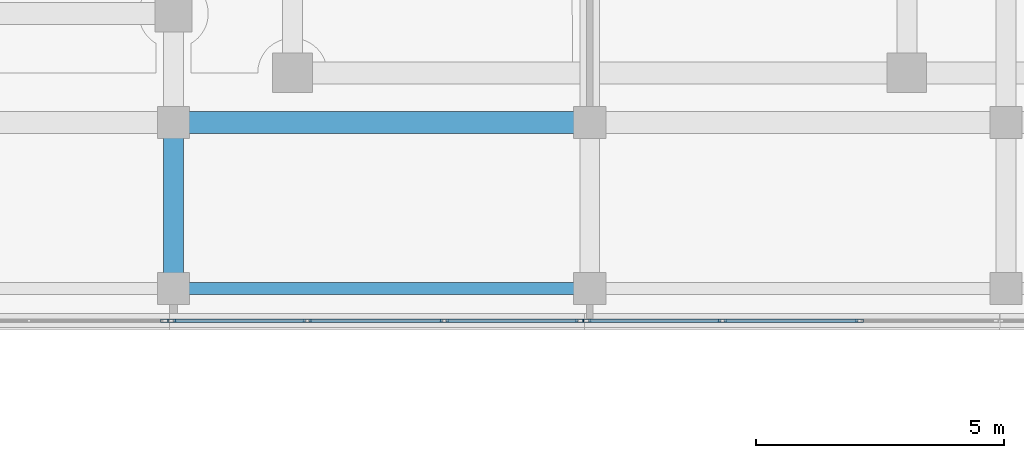
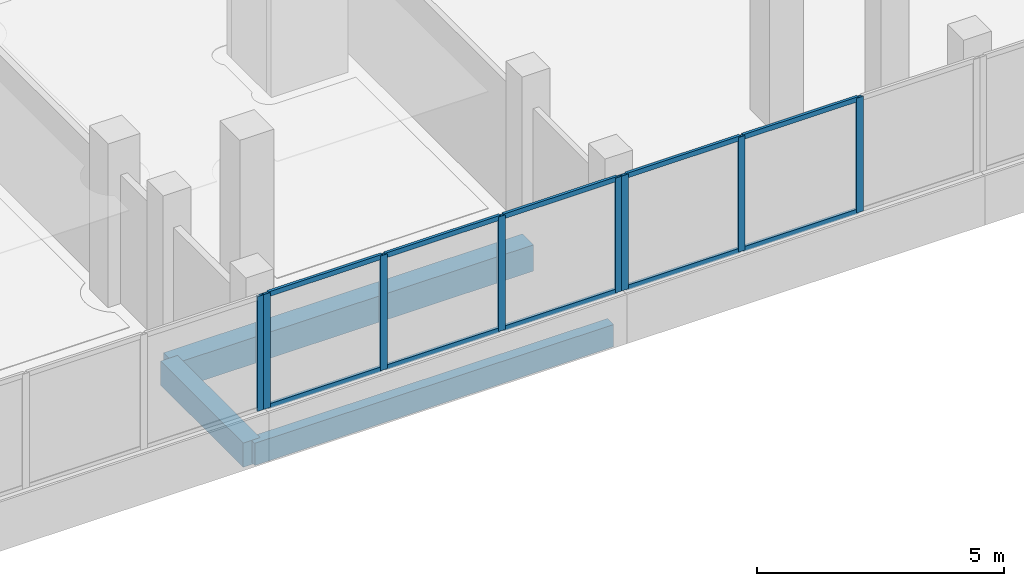
# One storey, part 8 of 76: 18 members, 3 beams, 3 elements without a shape of their own.
"""IFC4 building model written with IfcOpenShell, lengths in metres."""

from ifc_helpers import new_model, si_unit, direction, frame, origin, origin_2d, place, context, subcontext, project, spatial, rectangle, hollow_rectangle, extrude, material, material_profile, profile_set, type_object, element, aggregate, save


model = new_model("IFC4")

# Units and contexts
model_context = context("Model", 3, precision=1e-05, world=origin(), true_north=direction((0.0, 1.0)))
body_context = subcontext(model_context, "Body", "Model", "MODEL_VIEW")
ifc_project = project(units=[si_unit("LENGTHUNIT", "METRE"), si_unit("AREAUNIT", "SQUARE_METRE"), si_unit("VOLUMEUNIT", "CUBIC_METRE"), si_unit("PLANEANGLEUNIT", "RADIAN"), si_unit("MASSUNIT", "GRAM", prefix="KILO")], contexts=[model_context])

# Site, building, storey
site_placement = place(None, origin())
site = spatial("IfcSite", under=ifc_project, at=site_placement, CompositionType="ELEMENT")
building_placement = place(site_placement, origin())
building = spatial("IfcBuilding", under=site, at=building_placement, Name="Selatvlak General Hospital", CompositionType="ELEMENT")
storey_placement = place(building_placement, frame((0.0, 0.0, 27.300048828125)))
storey = spatial("IfcBuildingStorey", under=building, at=storey_placement, Name="L06", CompositionType="ELEMENT", Elevation=27.300048828125)

# Beams
ifc_material_1 = material(Name="Concrete C40/50", Category="concrete")
ifc_material_profile_1 = material_profile(ifc_material_1, rectangle(XDim=0.449951171875, YDim=0.64990234375, at=origin_2d()), Name="RC-BM 450x650")
ifc_profile_set_1 = profile_set([ifc_material_profile_1], Name="Concrete C40/50")
beam_type_1 = type_object("IfcBeamType", Name="BM-G04", PredefinedType="BEAM", material=ifc_profile_set_1)
beam_1_placement = place(storey_placement, frame((56.39990234375, 92.0, -0.60009765625), z_axis=(1.0, 0.0, 0.0), x_axis=(0.0, 1.0, 0.0)))
element("IfcBeam", 1, at=beam_1_placement, inside=storey, type_object=beam_type_1, Name="Beam BMR-L06-2166", PredefinedType="BEAM", context=body_context, shape_type="SweptSolid", body=[
    extrude(rectangle(XDim=0.449951171875, YDim=0.64990234375, at=origin_2d()), origin(), (0.0, 0.0, 1.0), 8.400146484375),
])
ifc_material_profile_2 = material_profile(ifc_material_1, rectangle(XDim=0.39990234375, YDim=0.60009765625, at=origin_2d()), Name="RC-BM 400x600")
ifc_profile_set_2 = profile_set([ifc_material_profile_2], Name="Concrete C40/50")
beam_type_2 = type_object("IfcBeamType", Name="BM-G05", PredefinedType="BEAM", material=ifc_profile_set_2)
beam_2_placement = place(storey_placement, frame((56.39990234375, 88.64990234375, -0.574951171875), z_axis=(0.0, 1.0, 0.0), x_axis=(-1.0, 0.0, 0.0)))
element("IfcBeam", 2, at=beam_2_placement, inside=storey, type_object=beam_type_2, Name="Beam BMR-L06-2259", PredefinedType="BEAM", context=body_context, shape_type="SweptSolid", body=[
    extrude(rectangle(XDim=0.39990234375, YDim=0.60009765625, at=origin_2d()), origin(), (0.0, 0.0, 1.0), 3.35009765625),
])
ifc_material_profile_3 = material_profile(ifc_material_1, rectangle(XDim=0.25, YDim=0.550048828125, at=origin_2d()), Name="RC-SP 250x550")
ifc_profile_set_3 = profile_set([ifc_material_profile_3], Name="Concrete C40/50")
beam_type_3 = type_object("IfcBeamType", Name="BM-SP2", PredefinedType="SPANDREL", material=ifc_profile_set_3)
beam_3_placement = place(storey_placement, frame((56.39990234375, 88.64990234375, -0.550048828125), z_axis=(1.0, 0.0, 0.0), x_axis=(0.0, 1.0, 0.0)))
element("IfcBeam", 3, at=beam_3_placement, inside=storey, type_object=beam_type_3, Name="Beam BMR-L06-2147", PredefinedType="SPANDREL", context=body_context, shape_type="SweptSolid", body=[
    extrude(rectangle(XDim=0.25, YDim=0.550048828125, at=origin_2d()), origin(), (0.0, 0.0, 1.0), 8.400146484375),
])

# Curtain wall, members
ifc_material_2 = material(Name="Solar-control Low-E double glazing", Category="glass")
curtain_wall_type_1 = type_object("IfcCurtainWallType", Name="CW-CW-01", PredefinedType="USERDEFINED", material=ifc_material_2)
curtain_wall_1_placement = place(storey_placement, origin())
curtain_wall_1 = element("IfcCurtainWall", 4, at=curtain_wall_1_placement, inside=storey, type_object=curtain_wall_type_1, Name="Glazed facade curtain wall CW-L06-0633", ObjectType="UNITISED CURTAIN WALL", PredefinedType="USERDEFINED")
ifc_material_3 = material(Name="Dark anodised aluminium mullion", Category="aluminium")
ifc_material_profile_4 = material_profile(ifc_material_3, hollow_rectangle(XDim=0.06494140625, YDim=0.159912109375, WallThickness=0.00390625, at=origin_2d()), Name="AL-MUL 65x160x4")
ifc_profile_set_4 = profile_set([ifc_material_profile_4], Name="Dark anodised aluminium mullion")
member_type_1 = type_object("IfcMemberType", Name="CWM-01", PredefinedType="MULLION", material=ifc_profile_set_4)
member_1_placement = place(storey_placement, frame((70.24267578125, 88.0, 0.93994140625), z_axis=(0.0, 0.0, 1.0), x_axis=(0.0, -1.0, 0.0)))
member_1 = element("IfcMember", 5, at=member_1_placement, type_object=member_type_1, Name="CW-01 mullion 2", PredefinedType="MULLION", context=body_context, shape_type="SweptSolid", body=[
    extrude(hollow_rectangle(XDim=0.06494140625, YDim=0.159912109375, WallThickness=0.00390625, at=origin_2d()), origin(), (0.0, 0.0, 1.0), 2.840087890625),
])
member_2_placement = place(storey_placement, frame((67.476318359375, 88.0, 0.93994140625), z_axis=(0.0, 0.0, 1.0), x_axis=(0.0, -1.0, 0.0)))
member_2 = element("IfcMember", 6, at=member_2_placement, type_object=member_type_1, Name="CW-01 mullion 3", PredefinedType="MULLION", context=body_context, shape_type="SweptSolid", body=[
    extrude(hollow_rectangle(XDim=0.06494140625, YDim=0.159912109375, WallThickness=0.00390625, at=origin_2d()), origin(), (0.0, 0.0, 1.0), 2.840087890625),
])
member_3_placement = place(storey_placement, frame((64.742431640625, 88.0, 0.93994140625), z_axis=(0.0, 0.0, 1.0), x_axis=(0.0, -1.0, 0.0)))
member_3 = element("IfcMember", 7, at=member_3_placement, type_object=member_type_1, Name="CW-01 mullion 4", PredefinedType="MULLION", context=body_context, shape_type="SweptSolid", body=[
    extrude(hollow_rectangle(XDim=0.06494140625, YDim=0.159912109375, WallThickness=0.00390625, at=origin_2d()), origin(), (0.0, 0.0, 1.0), 2.840087890625),
])

curtain_wall_type_2 = type_object("IfcCurtainWallType", Name="CW-CW-02", PredefinedType="USERDEFINED", material=ifc_material_2)
curtain_wall_2_placement = place(storey_placement, origin())
curtain_wall_2 = element("IfcCurtainWall", 8, at=curtain_wall_2_placement, inside=storey, type_object=curtain_wall_type_2, Name="Glazed facade curtain wall CW-L06-0634", ObjectType="UNITISED CURTAIN WALL", PredefinedType="USERDEFINED")
member_4_placement = place(storey_placement, frame((64.597412109375, 88.0, 0.93994140625), z_axis=(0.0, 0.0, 1.0), x_axis=(0.0, -1.0, 0.0)))
member_4 = element("IfcMember", 9, at=member_4_placement, type_object=member_type_1, Name="CW-02 mullion 1", PredefinedType="MULLION", context=body_context, shape_type="SweptSolid", body=[
    extrude(hollow_rectangle(XDim=0.06494140625, YDim=0.159912109375, WallThickness=0.00390625, at=origin_2d()), origin(), (0.0, 0.0, 1.0), 2.840087890625),
])
member_5_placement = place(storey_placement, frame((61.86376953125, 88.0, 0.93994140625), z_axis=(0.0, 0.0, 1.0), x_axis=(0.0, -1.0, 0.0)))
member_5 = element("IfcMember", 10, at=member_5_placement, type_object=member_type_1, Name="CW-02 mullion 2", PredefinedType="MULLION", context=body_context, shape_type="SweptSolid", body=[
    extrude(hollow_rectangle(XDim=0.06494140625, YDim=0.159912109375, WallThickness=0.00390625, at=origin_2d()), origin(), (0.0, 0.0, 1.0), 2.840087890625),
])
member_6_placement = place(storey_placement, frame((59.097412109375, 88.0, 0.93994140625), z_axis=(0.0, 0.0, 1.0), x_axis=(0.0, -1.0, 0.0)))
member_6 = element("IfcMember", 11, at=member_6_placement, type_object=member_type_1, Name="CW-02 mullion 3", PredefinedType="MULLION", context=body_context, shape_type="SweptSolid", body=[
    extrude(hollow_rectangle(XDim=0.06494140625, YDim=0.159912109375, WallThickness=0.00390625, at=origin_2d()), origin(), (0.0, 0.0, 1.0), 2.840087890625),
])
member_7_placement = place(storey_placement, frame((56.363525390625, 88.0, 0.93994140625), z_axis=(0.0, 0.0, 1.0), x_axis=(0.0, -1.0, 0.0)))
member_7 = element("IfcMember", 12, at=member_7_placement, type_object=member_type_1, Name="CW-02 mullion 4", PredefinedType="MULLION", context=body_context, shape_type="SweptSolid", body=[
    extrude(hollow_rectangle(XDim=0.06494140625, YDim=0.159912109375, WallThickness=0.00390625, at=origin_2d()), origin(), (0.0, 0.0, 1.0), 2.840087890625),
])

# Curtain wall, member
curtain_wall_3_placement = place(storey_placement, origin())
curtain_wall_3 = element("IfcCurtainWall", 13, at=curtain_wall_3_placement, inside=storey, type_object=curtain_wall_type_1, Name="Glazed facade curtain wall CW-L06-0635", ObjectType="UNITISED CURTAIN WALL", PredefinedType="USERDEFINED")
member_8_placement = place(storey_placement, frame((56.218505859375, 88.0, 0.93994140625), z_axis=(0.0, 0.0, 1.0), x_axis=(0.0, -1.0, 0.0)))
member_8 = element("IfcMember", 14, at=member_8_placement, type_object=member_type_1, Name="CW-01 mullion 1", PredefinedType="MULLION", context=body_context, shape_type="SweptSolid", body=[
    extrude(hollow_rectangle(XDim=0.06494140625, YDim=0.159912109375, WallThickness=0.00390625, at=origin_2d()), origin(), (0.0, 0.0, 1.0), 2.840087890625),
])
aggregate(curtain_wall_3, [member_8])

# Member
ifc_material_profile_5 = material_profile(ifc_material_3, hollow_rectangle(XDim=0.06494140625, YDim=0.1201171875, WallThickness=0.00390625, at=origin_2d()), Name="AL-TRN 65x120x4")
ifc_profile_set_5 = profile_set([ifc_material_profile_5], Name="Dark anodised aluminium mullion")
member_type_2 = type_object("IfcMemberType", Name="CWT-01", PredefinedType="USERDEFINED", material=ifc_profile_set_5)
member_9_placement = place(storey_placement, frame((70.210205078125, 88.0, 0.972412109375), z_axis=(-1.0, 0.0, 0.0), x_axis=(0.0, -1.0, 0.0)))
member_9 = element("IfcMember", 15, at=member_9_placement, type_object=member_type_2, Name="CW-01 transom 2.1", ObjectType="TRANSOM", PredefinedType="USERDEFINED", context=body_context, shape_type="SweptSolid", body=[
    extrude(hollow_rectangle(XDim=0.06494140625, YDim=0.1201171875, WallThickness=0.00390625, at=origin_2d()), origin(), (0.0, 0.0, 1.0), 2.701416015625),
])

member_10_placement = place(storey_placement, frame((70.210205078125, 88.0, 3.74755859375), z_axis=(-1.0, 0.0, 0.0), x_axis=(0.0, -1.0, 0.0)))
member_10 = element("IfcMember", 16, at=member_10_placement, type_object=member_type_2, Name="CW-01 transom 2.2", ObjectType="TRANSOM", PredefinedType="USERDEFINED", context=body_context, shape_type="SweptSolid", body=[
    extrude(hollow_rectangle(XDim=0.06494140625, YDim=0.1201171875, WallThickness=0.00390625, at=origin_2d()), origin(), (0.0, 0.0, 1.0), 2.701416015625),
])

member_11_placement = place(storey_placement, frame((67.44384765625, 88.0, 0.972412109375), z_axis=(-1.0, 0.0, 0.0), x_axis=(0.0, -1.0, 0.0)))
member_11 = element("IfcMember", 17, at=member_11_placement, type_object=member_type_2, Name="CW-01 transom 3.1", ObjectType="TRANSOM", PredefinedType="USERDEFINED", context=body_context, shape_type="SweptSolid", body=[
    extrude(hollow_rectangle(XDim=0.06494140625, YDim=0.1201171875, WallThickness=0.00390625, at=origin_2d()), origin(), (0.0, 0.0, 1.0), 2.6689453125),
])

member_12_placement = place(storey_placement, frame((67.44384765625, 88.0, 3.74755859375), z_axis=(-1.0, 0.0, 0.0), x_axis=(0.0, -1.0, 0.0)))
member_12 = element("IfcMember", 18, at=member_12_placement, type_object=member_type_2, Name="CW-01 transom 3.2", ObjectType="TRANSOM", PredefinedType="USERDEFINED", context=body_context, shape_type="SweptSolid", body=[
    extrude(hollow_rectangle(XDim=0.06494140625, YDim=0.1201171875, WallThickness=0.00390625, at=origin_2d()), origin(), (0.0, 0.0, 1.0), 2.6689453125),
])

aggregate(curtain_wall_1, [member_1, member_2, member_3, member_9, member_10, member_11, member_12])

member_13_placement = place(storey_placement, frame((64.56494140625, 88.0, 0.972412109375), z_axis=(-1.0, 0.0, 0.0), x_axis=(0.0, -1.0, 0.0)))
member_13 = element("IfcMember", 19, at=member_13_placement, type_object=member_type_2, Name="CW-02 transom 1.1", ObjectType="TRANSOM", PredefinedType="USERDEFINED", context=body_context, shape_type="SweptSolid", body=[
    extrude(hollow_rectangle(XDim=0.06494140625, YDim=0.1201171875, WallThickness=0.00390625, at=origin_2d()), origin(), (0.0, 0.0, 1.0), 2.668701171875),
])

member_14_placement = place(storey_placement, frame((64.56494140625, 88.0, 3.74755859375), z_axis=(-1.0, 0.0, 0.0), x_axis=(0.0, -1.0, 0.0)))
member_14 = element("IfcMember", 20, at=member_14_placement, type_object=member_type_2, Name="CW-02 transom 1.2", ObjectType="TRANSOM", PredefinedType="USERDEFINED", context=body_context, shape_type="SweptSolid", body=[
    extrude(hollow_rectangle(XDim=0.06494140625, YDim=0.1201171875, WallThickness=0.00390625, at=origin_2d()), origin(), (0.0, 0.0, 1.0), 2.668701171875),
])

member_15_placement = place(storey_placement, frame((61.8310546875, 88.0, 0.972412109375), z_axis=(-1.0, 0.0, 0.0), x_axis=(0.0, -1.0, 0.0)))
member_15 = element("IfcMember", 21, at=member_15_placement, type_object=member_type_2, Name="CW-02 transom 2.1", ObjectType="TRANSOM", PredefinedType="USERDEFINED", context=body_context, shape_type="SweptSolid", body=[
    extrude(hollow_rectangle(XDim=0.06494140625, YDim=0.1201171875, WallThickness=0.00390625, at=origin_2d()), origin(), (0.0, 0.0, 1.0), 2.701171875),
])

member_16_placement = place(storey_placement, frame((61.8310546875, 88.0, 3.74755859375), z_axis=(-1.0, 0.0, 0.0), x_axis=(0.0, -1.0, 0.0)))
member_16 = element("IfcMember", 22, at=member_16_placement, type_object=member_type_2, Name="CW-02 transom 2.2", ObjectType="TRANSOM", PredefinedType="USERDEFINED", context=body_context, shape_type="SweptSolid", body=[
    extrude(hollow_rectangle(XDim=0.06494140625, YDim=0.1201171875, WallThickness=0.00390625, at=origin_2d()), origin(), (0.0, 0.0, 1.0), 2.701171875),
])

member_17_placement = place(storey_placement, frame((59.06494140625, 88.0, 0.972412109375), z_axis=(-1.0, 0.0, 0.0), x_axis=(0.0, -1.0, 0.0)))
member_17 = element("IfcMember", 23, at=member_17_placement, type_object=member_type_2, Name="CW-02 transom 3.1", ObjectType="TRANSOM", PredefinedType="USERDEFINED", context=body_context, shape_type="SweptSolid", body=[
    extrude(hollow_rectangle(XDim=0.06494140625, YDim=0.1201171875, WallThickness=0.00390625, at=origin_2d()), origin(), (0.0, 0.0, 1.0), 2.6689453125),
])

member_18_placement = place(storey_placement, frame((59.06494140625, 88.0, 3.74755859375), z_axis=(-1.0, 0.0, 0.0), x_axis=(0.0, -1.0, 0.0)))
member_18 = element("IfcMember", 24, at=member_18_placement, type_object=member_type_2, Name="CW-02 transom 3.2", ObjectType="TRANSOM", PredefinedType="USERDEFINED", context=body_context, shape_type="SweptSolid", body=[
    extrude(hollow_rectangle(XDim=0.06494140625, YDim=0.1201171875, WallThickness=0.00390625, at=origin_2d()), origin(), (0.0, 0.0, 1.0), 2.6689453125),
])

aggregate(curtain_wall_2, [member_4, member_5, member_6, member_7, member_13, member_14, member_15, member_16, member_17, member_18])

save(model, "model.ifc")
